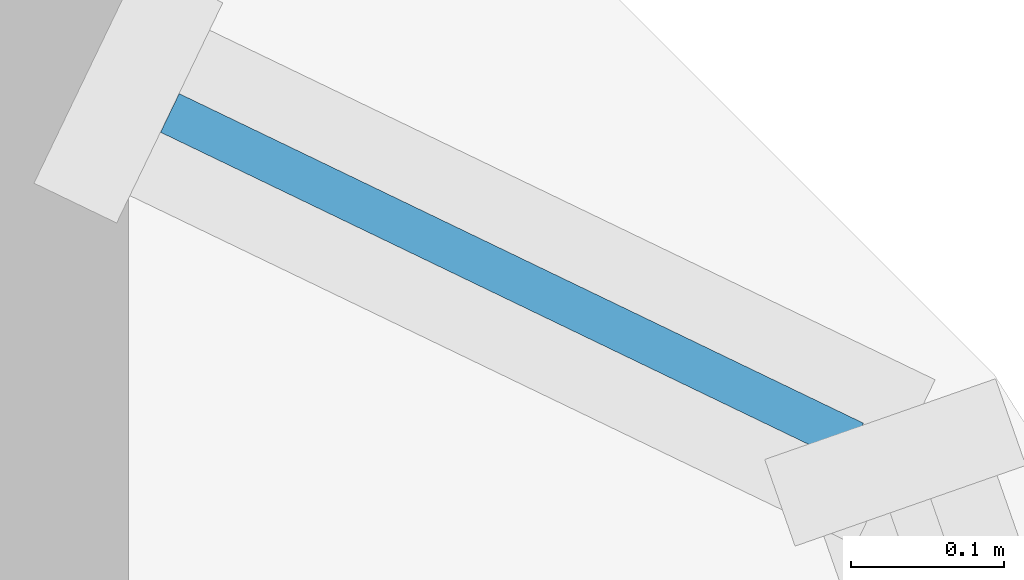
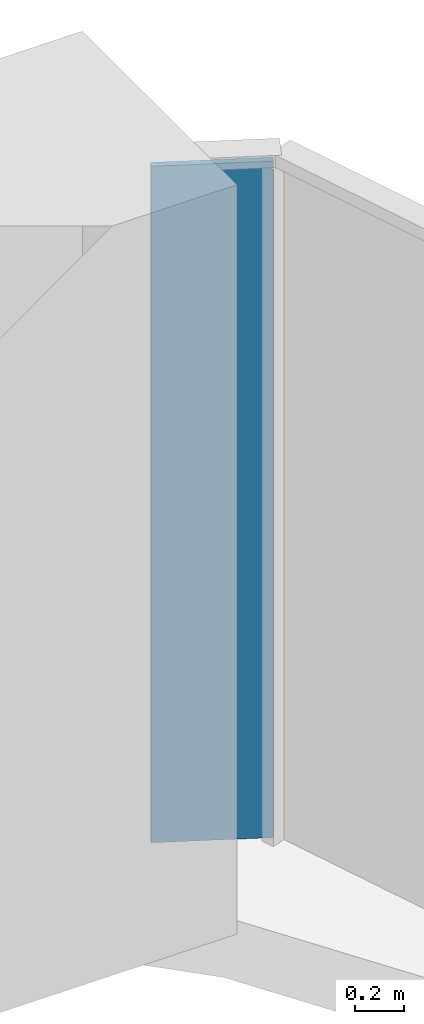
# One storey, part 14 of 35: 1 plate, 1 element without a shape of its own.
"""IFC4 building model written with IfcOpenShell, lengths in metres."""

from ifc_helpers import new_model, si_unit, direction, frame, origin, origin_2d, place, context, subcontext, project, spatial, rectangle, extrude, material, layer, layer_set, type_object, element, aggregate, save


model = new_model("IFC4")

# Units and contexts
model_context = context("Model", 3, precision=1e-05, world=origin(), true_north=direction((0.0, 1.0)))
body_context = subcontext(model_context, "Body", "Model", "MODEL_VIEW")
ifc_project = project(units=[si_unit("LENGTHUNIT", "METRE"), si_unit("AREAUNIT", "SQUARE_METRE"), si_unit("VOLUMEUNIT", "CUBIC_METRE"), si_unit("PLANEANGLEUNIT", "RADIAN"), si_unit("MASSUNIT", "GRAM", prefix="KILO")], contexts=[model_context])

# Site, building, storey
site_placement = place(None, origin())
site = spatial("IfcSite", under=ifc_project, at=site_placement, CompositionType="ELEMENT")
building_placement = place(site_placement, origin())
building = spatial("IfcBuilding", under=site, at=building_placement, Name="Ogive Portal Towers", CompositionType="ELEMENT")
storey_placement = place(building_placement, frame((0.0, 0.0, 94.5)))
storey = spatial("IfcBuildingStorey", under=building, at=storey_placement, Name="L22", CompositionType="ELEMENT", Elevation=94.5)

# Curtain wall, plate
ifc_material = material(Name="Glass, clear low-iron insulated glazing", Category="glass")
curtain_wall_type = type_object("IfcCurtainWallType", Name="CW FRONT RIBBON 4500", PredefinedType="NOTDEFINED", material=ifc_material)
curtain_wall_placement = place(storey_placement, origin())
curtain_wall = element("IfcCurtainWall", 1, at=curtain_wall_placement, inside=storey, type_object=curtain_wall_type, Name="A:L22:f09:cwa~0", PredefinedType="NOTDEFINED")
ifc_layer = layer(ifc_material, 0.028076171875)
ifc_layer_set = layer_set([ifc_layer], Name="CW PANEL IGU 28")
plate_type = type_object("IfcPlateType", Name="CW PANEL IGU 28", PredefinedType="CURTAIN_PANEL", material=ifc_layer_set)
plate_placement = place(storey_placement, frame((93.325927734375, 37.460693359375, 0.0), z_axis=(0.0, 0.0, 1.0), x_axis=(-0.900968867905, 0.433883739113, 0.0)))
plate = element("IfcPlate", 2, at=plate_placement, type_object=plate_type, Name="panel", PredefinedType="CURTAIN_PANEL", context=body_context, shape_type="SweptSolid", body=[
    extrude(rectangle(XDim=0.496826171875, YDim=0.028076171875, at=origin_2d()), origin(), (0.0, 0.0, 1.0), 3.340087890625),
])
aggregate(curtain_wall, [plate])

save(model, "model.ifc")
